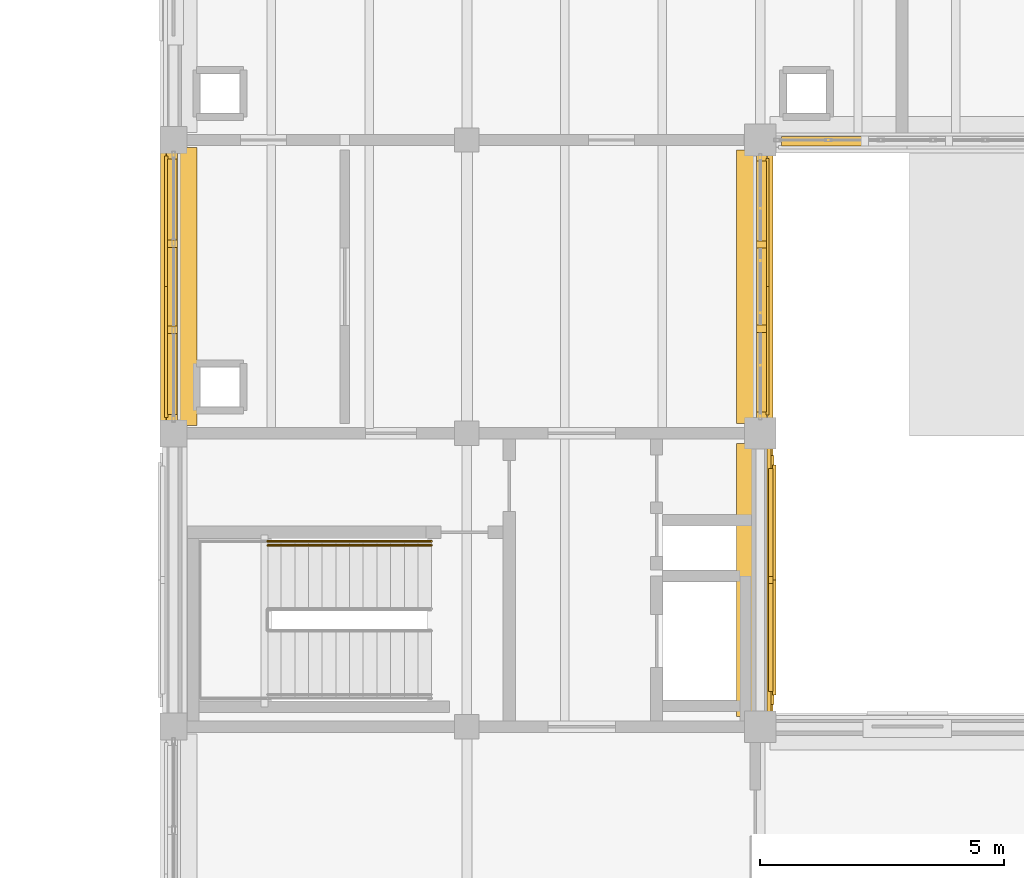
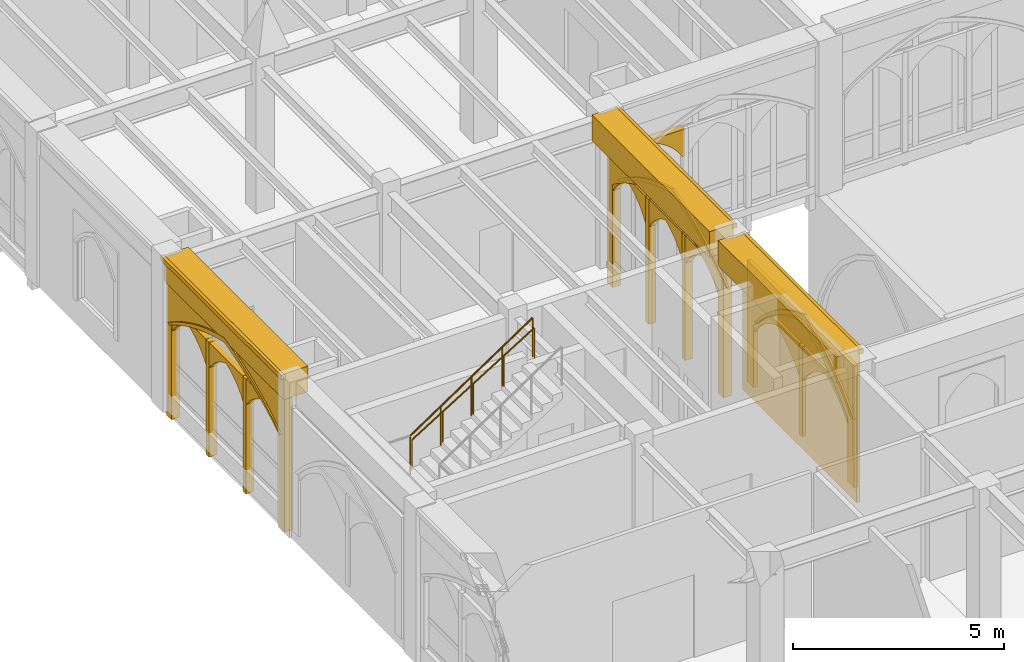
# One storey, part 129 of 143: 27 coverings, 2 railings.
"""IFC4 building model written with IfcOpenShell, lengths in metres."""

from ifc_helpers import new_model, si_unit, direction, frame, origin, origin_2d, place, context, subcontext, project, spatial, polyline, rectangle, circle, outline, extrude, material, type_object, element, save


model = new_model("IFC4")

# Units and contexts
model_context = context("Model", 3, precision=1e-05, world=origin(), true_north=direction((0.0, 1.0)))
body_context = subcontext(model_context, "Body", "Model", "MODEL_VIEW")
ifc_project = project(units=[si_unit("LENGTHUNIT", "METRE"), si_unit("AREAUNIT", "SQUARE_METRE"), si_unit("VOLUMEUNIT", "CUBIC_METRE"), si_unit("PLANEANGLEUNIT", "RADIAN"), si_unit("MASSUNIT", "GRAM", prefix="KILO")], contexts=[model_context])

# Site, building, storey
site_placement = place(None, origin())
site = spatial("IfcSite", under=ifc_project, at=site_placement, CompositionType="ELEMENT")
building_placement = place(site_placement, origin())
building = spatial("IfcBuilding", under=site, at=building_placement, Name="Cumevento Cable Car Station", CompositionType="ELEMENT")
storey_placement = place(building_placement, frame((0.0, 0.0, 9.0)))
storey = spatial("IfcBuildingStorey", under=building, at=storey_placement, Name="L03", CompositionType="ELEMENT", Elevation=9.0)

# Railings
ifc_material_1 = material(Name="Painted Galvanised Architectural Steel", Category="steel")
railing_type_1 = type_object("IfcRailingType", Name="Stair Guardrail GR-S115", PredefinedType="GUARDRAIL", material=ifc_material_1)
railing_1_placement = place(storey_placement, frame((119.919921875, 24.7900390625, 2.25)))
element("IfcRailing", 1, at=railing_1_placement, inside=storey, type_object=railing_type_1, Name="Stair Outer Guardrail ST-05-L03 F2", PredefinedType="GUARDRAIL", context=body_context, shape_type="SweptSolid", body=[
    extrude(circle(Radius=0.02392578125, at=origin_2d()), frame((0.0, 0.0, 1.1259765625), z_axis=(0.830915400975, 0.0, 0.556398774641), x_axis=(0.0, 1.0, 0.0)), (0.0, 0.0, 1.0), 4.0439453125),
    extrude(circle(Radius=0.02001953125, at=origin_2d()), origin(), (0.0, 0.0, 1.0), 1.101806640625),
    extrude(circle(Radius=0.02001953125, at=origin_2d()), frame((0.840087890625, 0.0, 0.5625)), (0.0, 0.0, 1.0), 1.101806640625),
    extrude(circle(Radius=0.02001953125, at=origin_2d()), frame((1.68017578125, 0.0, 1.125)), (0.0, 0.0, 1.0), 1.101806640625),
    extrude(circle(Radius=0.02001953125, at=origin_2d()), frame((2.52001953125, 0.0, 1.6875)), (0.0, 0.0, 1.0), 1.101806640625),
    extrude(circle(Radius=0.02001953125, at=origin_2d()), frame((3.360107421875, 0.0, 2.25)), (0.0, 0.0, 1.0), 1.101806640625),
])
ifc_material_2 = material(Name="Brushed Stainless Steel Handrail Tube", Category="steel")
railing_type_2 = type_object("IfcRailingType", Name="Stair Handrail HR-090", PredefinedType="HANDRAIL", material=ifc_material_2)
railing_2_placement = place(storey_placement, frame((119.919921875, 24.7099609375, 2.42626953125)))
element("IfcRailing", 2, at=railing_2_placement, inside=storey, type_object=railing_type_2, Name="Stair Pitch Handrail ST-05-L03 F2", PredefinedType="HANDRAIL", context=body_context, shape_type="SweptSolid", body=[
    extrude(circle(Radius=0.02099609375, at=origin_2d()), frame((0.0, 0.0, 0.87890625), z_axis=(0.850623216509, 0.0, 0.525775754039), x_axis=(0.0, 1.0, 0.0)), (0.0, 0.0, 1.0), 3.9501953125),
    extrude(circle(Radius=0.01611328125, at=origin_2d()), origin(), (0.0, 0.0, 1.0), 0.85791015625),
    extrude(circle(Radius=0.01611328125, at=origin_2d()), frame((0.840087890625, 0.0, 0.519287109375)), (0.0, 0.0, 1.0), 0.85791015625),
    extrude(circle(Radius=0.01611328125, at=origin_2d()), frame((1.68017578125, 0.0, 1.03857421875)), (0.0, 0.0, 1.0), 0.85791015625),
    extrude(circle(Radius=0.01611328125, at=origin_2d()), frame((2.52001953125, 0.0, 1.5576171875)), (0.0, 0.0, 1.0), 0.85791015625),
    extrude(circle(Radius=0.01611328125, at=origin_2d()), frame((3.360107421875, 0.0, 2.076904296875)), (0.0, 0.0, 1.0), 0.85791015625),
])

# Coverings
ifc_material_3 = material(Name="Gnaisse Facoidal Stone Ashlar 85 MPa", Category="masonry")
covering_type = type_object("IfcCoveringType", Name="Gnaisse Ashlar Cladding CV-CL01", PredefinedType="CLADDING", material=ifc_material_3)
covering_1_placement = place(storey_placement, frame((129.85009765625, 24.0, 3.718017578125), z_axis=(0.0, 0.0, 1.0), x_axis=(0.0, -1.0, 0.0)))
element("IfcCovering", 3, at=covering_1_placement, inside=storey, type_object=covering_type, Name="Gothic Stone Spandrel Stringcourse sc:0674", PredefinedType="CLADDING", context=body_context, shape_type="SweptSolid", body=[
    extrude(rectangle(XDim=5.590087890625, YDim=0.659912109375, at=origin_2d()), origin(), (0.0, 0.0, 1.0), 0.7470703125),
])
covering_2_placement = place(storey_placement, frame((130.20751953125, 24.0, 4.3349609375), z_axis=(0.0, 0.0, 1.0), x_axis=(0.0, -1.0, 0.0)))
element("IfcCovering", 4, at=covering_2_placement, inside=storey, type_object=covering_type, Name="Gothic Cornice Dripstone Lip sc:0674", PredefinedType="CLADDING", context=body_context, shape_type="SweptSolid", body=[
    extrude(rectangle(XDim=5.6298828125, YDim=0.114990234375, at=origin_2d()), origin(), (0.0, 0.0, 1.0), 0.1298828125),
])
covering_3_placement = place(storey_placement, frame((118.14990234375, 30.0, 3.718017578125), z_axis=(0.0, 0.0, 1.0), x_axis=(0.0, 1.0, 0.0)))
element("IfcCovering", 5, at=covering_3_placement, inside=storey, type_object=covering_type, Name="Gothic Stone Spandrel Stringcourse sc:0675", PredefinedType="CLADDING", context=body_context, shape_type="SweptSolid", body=[
    extrude(rectangle(XDim=5.68994140625, YDim=0.659912109375, at=origin_2d()), origin(), (0.0, 0.0, 1.0), 0.7470703125),
])
covering_4_placement = place(storey_placement, frame((117.79248046875, 30.0, 4.3349609375), z_axis=(0.0, 0.0, 1.0), x_axis=(0.0, 1.0, 0.0)))
element("IfcCovering", 6, at=covering_4_placement, inside=storey, type_object=covering_type, Name="Gothic Cornice Dripstone Lip sc:0675", PredefinedType="CLADDING", context=body_context, shape_type="SweptSolid", body=[
    extrude(rectangle(XDim=5.72998046875, YDim=0.114990234375, at=origin_2d()), origin(), (0.0, 0.0, 1.0), 0.1298828125),
])
covering_5_placement = place(storey_placement, frame((129.85009765625, 30.0, 3.718017578125), z_axis=(0.0, 0.0, 1.0), x_axis=(0.0, -1.0, 0.0)))
element("IfcCovering", 7, at=covering_5_placement, inside=storey, type_object=covering_type, Name="Gothic Stone Spandrel Stringcourse sc:0676", PredefinedType="CLADDING", context=body_context, shape_type="SweptSolid", body=[
    extrude(rectangle(XDim=5.590087890625, YDim=0.659912109375, at=origin_2d()), origin(), (0.0, 0.0, 1.0), 0.7470703125),
])
covering_6_placement = place(storey_placement, frame((130.20751953125, 30.0, 4.3349609375), z_axis=(0.0, 0.0, 1.0), x_axis=(0.0, -1.0, 0.0)))
element("IfcCovering", 8, at=covering_6_placement, inside=storey, type_object=covering_type, Name="Gothic Cornice Dripstone Lip sc:0676", PredefinedType="CLADDING", context=body_context, shape_type="SweptSolid", body=[
    extrude(rectangle(XDim=5.6298828125, YDim=0.114990234375, at=origin_2d()), origin(), (0.0, 0.0, 1.0), 0.1298828125),
])
placement_1 = place(storey_placement, frame((118.0, 27.27490234375, -0.159912109375), z_axis=(0.0, 0.0, 1.0), x_axis=(0.0, 1.0, 0.0)))
element("IfcCovering", 9, at=placement_1, inside=storey, type_object=covering_type, Name="Gothic Ogival Pointed-Arch Stone Spandrel cw_ogival:0127", PredefinedType="CLADDING", context=body_context, shape_type="SweptSolid", body=[
    extrude(outline(polyline([(-0.080078125, 0.0), (-0.080078125, 4.01806640625), (5.530029296875, 4.01806640625), (5.530029296875, 0.0), (5.2900390625, 0.0), (5.2900390625, 2.76513671875), (4.9921875, 2.946044921875), (4.686767578125, 3.11376953125), (4.3740234375, 3.267333984375), (4.0546875, 3.40673828125), (3.7294921875, 3.53173828125), (3.399169921875, 3.642333984375), (3.06396484375, 3.73779296875), (2.72509765625, 3.818115234375), (2.385986328125, 3.73779296875), (2.05078125, 3.642333984375), (1.720458984375, 3.53173828125), (1.395263671875, 3.40673828125), (1.075927734375, 3.267333984375), (0.76318359375, 3.11376953125), (0.457763671875, 2.946044921875), (0.159912109375, 2.76513671875), (0.159912109375, 0.0), (-0.080078125, 0.0)])), frame((0.0, 0.139892578125, 0.0), z_axis=(0.0, -1.0, 0.0), x_axis=(1.0, 0.0, 0.0)), (0.0, 0.0, 1.0), 0.219970703125),
])
covering_8_placement = place(storey_placement, frame((118.0, 27.27490234375, 2.60498046875), z_axis=(0.0, 0.0, 1.0), x_axis=(0.0, 1.0, 0.0)))
element("IfcCovering", 10, at=covering_8_placement, inside=storey, type_object=covering_type, Name="Gothic Pointed Archivolt Hood Moulding cw_ogival:0127", PredefinedType="CLADDING", context=body_context, shape_type="SweptSolid", body=[
    extrude(outline(polyline([(0.159912109375, 0.0), (0.457763671875, 0.180908203125), (0.76318359375, 0.3486328125), (1.075927734375, 0.502197265625), (1.395263671875, 0.6416015625), (1.720458984375, 0.7666015625), (2.05078125, 0.877197265625), (2.385986328125, 0.97265625), (2.72509765625, 1.052978515625), (3.06396484375, 0.97265625), (3.399169921875, 0.877197265625), (3.7294921875, 0.7666015625), (4.0546875, 0.6416015625), (4.3740234375, 0.502197265625), (4.686767578125, 0.3486328125), (4.9921875, 0.180908203125), (5.2900390625, 0.0), (5.39990234375, 0.0), (5.093505859375, 0.2041015625), (4.77734375, 0.39306640625), (4.45263671875, 0.566650390625), (4.119873046875, 0.724365234375), (3.780029296875, 0.865966796875), (3.43359375, 0.990966796875), (3.081787109375, 1.09912109375), (2.72509765625, 1.1904296875), (2.3681640625, 1.09912109375), (2.016357421875, 0.990966796875), (1.669921875, 0.865966796875), (1.330078125, 0.724365234375), (0.997314453125, 0.566650390625), (0.672607421875, 0.39306640625), (0.3564453125, 0.2041015625), (0.050048828125, 0.0), (0.159912109375, 0.0)])), frame((0.0, 0.181884765625, 0.0), z_axis=(0.0, -1.0, 0.0), x_axis=(1.0, 0.0, 0.0)), (0.0, 0.0, 1.0), 0.06689453125),
])
element("IfcCovering", 11, at=placement_1, inside=storey, type_object=covering_type, Name="Gothic Bifora Stone Colonnette cw_ogival:0127 #1", PredefinedType="CLADDING", context=body_context, shape_type="SweptSolid", body=[
    extrude(outline(polyline([(1.77001953125, -0.02001953125), (1.919921875, -0.02001953125), (1.919921875, 3.3125), (1.77001953125, 3.3125), (1.77001953125, -0.02001953125)])), frame((0.0, 0.1279296875, 0.0), z_axis=(0.0, -1.0, 0.0), x_axis=(1.0, 0.0, 0.0)), (0.0, 0.0, 1.0), 0.205078125),
])
element("IfcCovering", 12, at=placement_1, inside=storey, type_object=covering_type, Name="Gothic Bifora Stone Colonnette cw_ogival:0127 #2", PredefinedType="CLADDING", context=body_context, shape_type="SweptSolid", body=[
    extrude(outline(polyline([(3.530029296875, -0.02001953125), (3.679931640625, -0.02001953125), (3.679931640625, 3.3125), (3.530029296875, 3.3125), (3.530029296875, -0.02001953125)])), frame((0.0, 0.1279296875, 0.0), z_axis=(0.0, -1.0, 0.0), x_axis=(1.0, 0.0, 0.0)), (0.0, 0.0, 1.0), 0.205078125),
])
for number, where, z_axis, x_axis, name in (
    (13, (118.0, 27.405029296875, 2.425048828125), (0.0, 0.0, 1.0), (0.0, 1.0, 0.0), "Gothic Ogival Pointed-Arch Stone Spandrel cw_ogival:0127:sub:0"),
    (14, (118.0, 29.1650390625, 2.425048828125), (0.0, 0.0, 1.0), (0.0, 1.0, 0.0), "Gothic Ogival Pointed-Arch Stone Spandrel cw_ogival:0127:sub:1"),
    (15, (118.0, 30.925048828125, 2.425048828125), (0.0, 0.0, 1.0), (0.0, 1.0, 0.0), "Gothic Ogival Pointed-Arch Stone Spandrel cw_ogival:0127:sub:2"),
):
    element("IfcCovering", number, at=place(storey_placement, frame(where, z_axis=z_axis, x_axis=x_axis)), inside=storey, type_object=covering_type, Name=name, PredefinedType="CLADDING", context=body_context, shape_type="SweptSolid", body=[
        extrude(outline(polyline([(-0.02001953125, 0.0), (-0.02001953125, 0.7275390625), (1.68994140625, 0.7275390625), (1.68994140625, 0.0), (1.6298828125, 0.0), (1.525146484375, 0.1328125), (1.407470703125, 0.254638671875), (1.2783203125, 0.36376953125), (1.138916015625, 0.459716796875), (0.99072265625, 0.541259765625), (0.8349609375, 0.607421875), (0.67919921875, 0.541259765625), (0.531005859375, 0.459716796875), (0.3916015625, 0.36376953125), (0.262451171875, 0.254638671875), (0.144775390625, 0.1328125), (0.0400390625, 0.0), (-0.02001953125, 0.0)])), frame((0.0, 0.1240234375, 0.0), z_axis=(0.0, -1.0, 0.0), x_axis=(1.0, 0.0, 0.0)), (0.0, 0.0, 1.0), 0.199951171875),
    ])
placement_2 = place(storey_placement, frame((130.0, 32.675048828125, -0.52001953125), z_axis=(0.0, 0.0, 1.0), x_axis=(0.0, -1.0, 0.0)))
element("IfcCovering", 16, at=placement_2, inside=storey, type_object=covering_type, Name="Gothic Ogival Pointed-Arch Stone Spandrel cw_ogival:0128", PredefinedType="CLADDING", context=body_context, shape_type="SweptSolid", body=[
    extrude(outline(polyline([(-0.080078125, 0.0), (-0.080078125, 4.3779296875), (5.429931640625, 4.3779296875), (5.429931640625, 0.0), (5.18994140625, 0.0), (5.18994140625, 2.99560546875), (4.90478515625, 3.197509765625), (4.609619140625, 3.385009765625), (4.30517578125, 3.5576171875), (3.99267578125, 3.714111328125), (3.67236328125, 3.85498046875), (3.345458984375, 3.9794921875), (3.012939453125, 4.08740234375), (2.675048828125, 4.177978515625), (2.337158203125, 4.08740234375), (2.004638671875, 3.9794921875), (1.677734375, 3.85498046875), (1.357421875, 3.714111328125), (1.044921875, 3.5576171875), (0.740478515625, 3.385009765625), (0.4453125, 3.197509765625), (0.159912109375, 2.99560546875), (0.159912109375, 0.0), (-0.080078125, 0.0)])), frame((0.0, 0.139892578125, 0.0), z_axis=(0.0, -1.0, 0.0), x_axis=(1.0, 0.0, 0.0)), (0.0, 0.0, 1.0), 0.219970703125),
])
covering_12_placement = place(storey_placement, frame((130.0, 32.675048828125, 2.4755859375), z_axis=(0.0, 0.0, 1.0), x_axis=(0.0, -1.0, 0.0)))
element("IfcCovering", 17, at=covering_12_placement, inside=storey, type_object=covering_type, Name="Gothic Pointed Archivolt Hood Moulding cw_ogival:0128", PredefinedType="CLADDING", context=body_context, shape_type="SweptSolid", body=[
    extrude(outline(polyline([(0.159912109375, 0.0), (0.4453125, 0.2021484375), (0.740478515625, 0.3896484375), (1.044921875, 0.56201171875), (1.357421875, 0.71875), (1.677734375, 0.859619140625), (2.004638671875, 0.98388671875), (2.337158203125, 1.091796875), (2.675048828125, 1.1826171875), (3.012939453125, 1.091796875), (3.345458984375, 0.98388671875), (3.67236328125, 0.859619140625), (3.99267578125, 0.71875), (4.30517578125, 0.56201171875), (4.609619140625, 0.3896484375), (4.90478515625, 0.2021484375), (5.18994140625, 0.0), (5.300048828125, 0.0), (5.00634765625, 0.224853515625), (4.700927734375, 0.433837890625), (4.384521484375, 0.626220703125), (4.05859375, 0.80126953125), (3.7236328125, 0.95849609375), (3.380859375, 1.09765625), (3.031005859375, 1.21826171875), (2.675048828125, 1.320068359375), (2.319091796875, 1.21826171875), (1.96923828125, 1.09765625), (1.62646484375, 0.95849609375), (1.29150390625, 0.80126953125), (0.965576171875, 0.626220703125), (0.649169921875, 0.433837890625), (0.34375, 0.224853515625), (0.050048828125, 0.0), (0.159912109375, 0.0)])), frame((0.0, 0.181884765625, 0.0), z_axis=(0.0, -1.0, 0.0), x_axis=(1.0, 0.0, 0.0)), (0.0, 0.0, 1.0), 0.06689453125),
])
element("IfcCovering", 18, at=placement_2, inside=storey, type_object=covering_type, Name="Gothic Bifora Stone Colonnette cw_ogival:0128 #1", PredefinedType="CLADDING", context=body_context, shape_type="SweptSolid", body=[
    extrude(outline(polyline([(1.736572265625, -0.02001953125), (1.88671875, -0.02001953125), (1.88671875, 3.6103515625), (1.736572265625, 3.6103515625), (1.736572265625, -0.02001953125)])), frame((0.0, 0.1279296875, 0.0), z_axis=(0.0, -1.0, 0.0), x_axis=(1.0, 0.0, 0.0)), (0.0, 0.0, 1.0), 0.205078125),
])
element("IfcCovering", 19, at=placement_2, inside=storey, type_object=covering_type, Name="Gothic Bifora Stone Colonnette cw_ogival:0128 #2", PredefinedType="CLADDING", context=body_context, shape_type="SweptSolid", body=[
    extrude(outline(polyline([(3.46337890625, -0.02001953125), (3.61328125, -0.02001953125), (3.61328125, 3.6103515625), (3.46337890625, 3.6103515625), (3.46337890625, -0.02001953125)])), frame((0.0, 0.1279296875, 0.0), z_axis=(0.0, -1.0, 0.0), x_axis=(1.0, 0.0, 0.0)), (0.0, 0.0, 1.0), 0.205078125),
])
for number, where, z_axis, x_axis, name in (
    (20, (130.0, 32.544921875, 2.29541015625), (0.0, 0.0, 1.0), (0.0, -1.0, 0.0), "Gothic Ogival Pointed-Arch Stone Spandrel cw_ogival:0128:sub:0"),
    (21, (130.0, 30.818359375, 2.29541015625), (0.0, 0.0, 1.0), (0.0, -1.0, 0.0), "Gothic Ogival Pointed-Arch Stone Spandrel cw_ogival:0128:sub:1"),
    (22, (130.0, 29.091552734375, 2.29541015625), (0.0, 0.0, 1.0), (0.0, -1.0, 0.0), "Gothic Ogival Pointed-Arch Stone Spandrel cw_ogival:0128:sub:2"),
):
    element("IfcCovering", number, at=place(storey_placement, frame(where, z_axis=z_axis, x_axis=x_axis)), inside=storey, type_object=covering_type, Name=name, PredefinedType="CLADDING", context=body_context, shape_type="SweptSolid", body=[
        extrude(outline(polyline([(-0.02001953125, 0.0), (-0.02001953125, 0.794921875), (1.65673828125, 0.794921875), (1.65673828125, 0.0), (1.5966796875, 0.0), (1.50048828125, 0.14599609375), (1.38916015625, 0.280517578125), (1.263427734375, 0.40185546875), (1.12548828125, 0.509033203125), (0.9765625, 0.600341796875), (0.818359375, 0.6748046875), (0.66015625, 0.600341796875), (0.51123046875, 0.509033203125), (0.373291015625, 0.40185546875), (0.24755859375, 0.280517578125), (0.13623046875, 0.14599609375), (0.0400390625, 0.0), (-0.02001953125, 0.0)])), frame((0.0, 0.1240234375, 0.0), z_axis=(0.0, -1.0, 0.0), x_axis=(1.0, 0.0, 0.0)), (0.0, 0.0, 1.0), 0.199951171875),
    ])
covering_15_placement = place(storey_placement, frame((132.091552734375, 33.0, 2.3134765625), z_axis=(0.0, 0.0, 1.0), x_axis=(-1.0, 0.0, 0.0)))
element("IfcCovering", 23, at=covering_15_placement, inside=storey, type_object=covering_type, Name="Gothic Ogival Pointed-Arch Stone Spandrel cw_ogival:0129:sub:2", PredefinedType="CLADDING", context=body_context, shape_type="SweptSolid", body=[
    extrude(outline(polyline([(-0.02001953125, 0.0), (-0.02001953125, 0.785400390625), (1.65673828125, 0.785400390625), (1.65673828125, 0.0), (1.5966796875, 0.0), (1.499755859375, 0.14404296875), (1.387939453125, 0.27685546875), (1.26220703125, 0.396728515625), (1.124267578125, 0.502197265625), (0.975830078125, 0.592041015625), (0.818359375, 0.66552734375), (0.660888671875, 0.592041015625), (0.512451171875, 0.502197265625), (0.37451171875, 0.396728515625), (0.248779296875, 0.27685546875), (0.136962890625, 0.14404296875), (0.0400390625, 0.0), (-0.02001953125, 0.0)])), frame((0.0, 0.1240234375, 0.0), z_axis=(0.0, -1.0, 0.0), x_axis=(1.0, 0.0, 0.0)), (0.0, 0.0, 1.0), 0.199951171875),
])
covering_16_placement = place(storey_placement, frame((130.0, 26.675048828125, 0.0), z_axis=(0.0, 0.0, 1.0), x_axis=(0.0, -1.0, 0.0)))
element("IfcCovering", 24, at=covering_16_placement, inside=storey, type_object=covering_type, Name="Exterior Gnaisse Stone Wall Ashlar #256", PredefinedType="CLADDING", context=body_context, shape_type="SweptSolid", body=[
    extrude(outline(polyline([(-0.0400390625, -0.02001953125), (5.389892578125, -0.02001953125), (5.389892578125, 3.798095703125), (-0.0400390625, 3.798095703125), (-0.0400390625, -0.02001953125)])), frame((0.0, 0.222412109375, 0.0), z_axis=(0.0, -1.0, 0.0), x_axis=(1.0, 0.0, 0.0)), (0.0, 0.0, 1.0), 0.0849609375),
])
placement_3 = place(storey_placement, frame((130.0, 26.4951171875, 0.300048828125), z_axis=(0.0, 0.0, 1.0), x_axis=(0.0, -1.0, 0.0)))
element("IfcCovering", 25, at=placement_3, inside=storey, type_object=covering_type, Name="Gothic Ogival Pointed-Arch Stone Spandrel blind_ogival:0256", PredefinedType="CLADDING", context=body_context, shape_type="SweptSolid", body=[
    extrude(outline(polyline([(-0.050048828125, 0.0), (-0.050048828125, 3.51806640625), (5.0400390625, 3.51806640625), (5.0400390625, 0.0), (4.72998046875, 0.0), (4.72998046875, 1.815673828125), (4.464599609375, 2.09814453125), (4.177978515625, 2.359619140625), (3.872314453125, 2.597900390625), (3.54931640625, 2.812255859375), (3.210693359375, 3.001220703125), (2.858642578125, 3.163330078125), (2.4951171875, 3.298095703125), (2.13134765625, 3.163330078125), (1.779296875, 3.001220703125), (1.440673828125, 2.812255859375), (1.11767578125, 2.597900390625), (0.81201171875, 2.359619140625), (0.525390625, 2.09814453125), (0.260009765625, 1.815673828125), (0.260009765625, 0.0), (-0.050048828125, 0.0)])), frame((0.0, 0.277587890625, 0.0), z_axis=(0.0, -1.0, 0.0), x_axis=(1.0, 0.0, 0.0)), (0.0, 0.0, 1.0), 0.110107421875),
])
covering_18_placement = place(storey_placement, frame((130.0, 26.4951171875, 2.11572265625), z_axis=(0.0, 0.0, 1.0), x_axis=(0.0, -1.0, 0.0)))
element("IfcCovering", 26, at=covering_18_placement, inside=storey, type_object=covering_type, Name="Gothic Pointed Archivolt Hood Moulding blind_ogival:0256", PredefinedType="CLADDING", context=body_context, shape_type="SweptSolid", body=[
    extrude(outline(polyline([(0.260009765625, 0.0), (0.525390625, 0.282470703125), (0.81201171875, 0.5439453125), (1.11767578125, 0.7822265625), (1.440673828125, 0.99658203125), (1.779296875, 1.185546875), (2.13134765625, 1.34765625), (2.4951171875, 1.482421875), (2.858642578125, 1.34765625), (3.210693359375, 1.185546875), (3.54931640625, 0.99658203125), (3.872314453125, 0.7822265625), (4.177978515625, 0.5439453125), (4.464599609375, 0.282470703125), (4.72998046875, 0.0), (4.85107421875, 0.0), (4.57568359375, 0.310302734375), (4.276611328125, 0.597900390625), (3.955810546875, 0.860595703125), (3.61474609375, 1.096923828125), (3.256103515625, 1.305419921875), (2.882080078125, 1.484619140625), (2.4951171875, 1.633544921875), (2.10791015625, 1.484619140625), (1.73388671875, 1.305419921875), (1.375244140625, 1.096923828125), (1.0341796875, 0.860595703125), (0.71337890625, 0.597900390625), (0.414306640625, 0.310302734375), (0.138916015625, 0.0), (0.260009765625, 0.0)])), frame((0.0, 0.319580078125, 0.0), z_axis=(0.0, -1.0, 0.0), x_axis=(1.0, 0.0, 0.0)), (0.0, 0.0, 1.0), 0.06689453125),
])
element("IfcCovering", 27, at=placement_3, inside=storey, type_object=covering_type, Name="Gothic Bifora Stone Colonnette blind_ogival:0256 #1", PredefinedType="CLADDING", context=body_context, shape_type="SweptSolid", body=[
    extrude(outline(polyline([(2.419921875, -0.02001953125), (2.570068359375, -0.02001953125), (2.570068359375, 2.58642578125), (2.419921875, 2.58642578125), (2.419921875, -0.02001953125)])), frame((0.0, 0.265380859375, 0.0), z_axis=(0.0, -1.0, 0.0), x_axis=(1.0, 0.0, 0.0)), (0.0, 0.0, 1.0), 0.094970703125),
])
for number, where, z_axis, x_axis, name in (
    (28, (130.0, 26.264892578125, 1.935791015625), (0.0, 0.0, 1.0), (0.0, -1.0, 0.0), "Gothic Ogival Pointed-Arch Stone Spandrel blind_ogival:0256:sub:0"),
    (29, (130.0, 23.955078125, 1.935791015625), (0.0, 0.0, 1.0), (0.0, -1.0, 0.0), "Gothic Ogival Pointed-Arch Stone Spandrel blind_ogival:0256:sub:1"),
):
    element("IfcCovering", number, at=place(storey_placement, frame(where, z_axis=z_axis, x_axis=x_axis)), inside=storey, type_object=covering_type, Name=name, PredefinedType="CLADDING", context=body_context, shape_type="SweptSolid", body=[
        extrude(outline(polyline([(-0.02001953125, 0.0), (-0.02001953125, 0.95068359375), (2.239990234375, 0.95068359375), (2.239990234375, 0.0), (2.179931640625, 0.0), (2.039794921875, 0.181396484375), (1.88232421875, 0.34765625), (1.70849609375, 0.497314453125), (1.520751953125, 0.62841796875), (1.3203125, 0.739990234375), (1.110107421875, 0.830810546875), (0.899658203125, 0.739990234375), (0.69921875, 0.62841796875), (0.511474609375, 0.497314453125), (0.337646484375, 0.34765625), (0.18017578125, 0.181396484375), (0.0400390625, 0.0), (-0.02001953125, 0.0)])), frame((0.0, 0.261474609375, 0.0), z_axis=(0.0, -1.0, 0.0), x_axis=(1.0, 0.0, 0.0)), (0.0, 0.0, 1.0), 0.090087890625),
    ])

save(model, "model.ifc")
